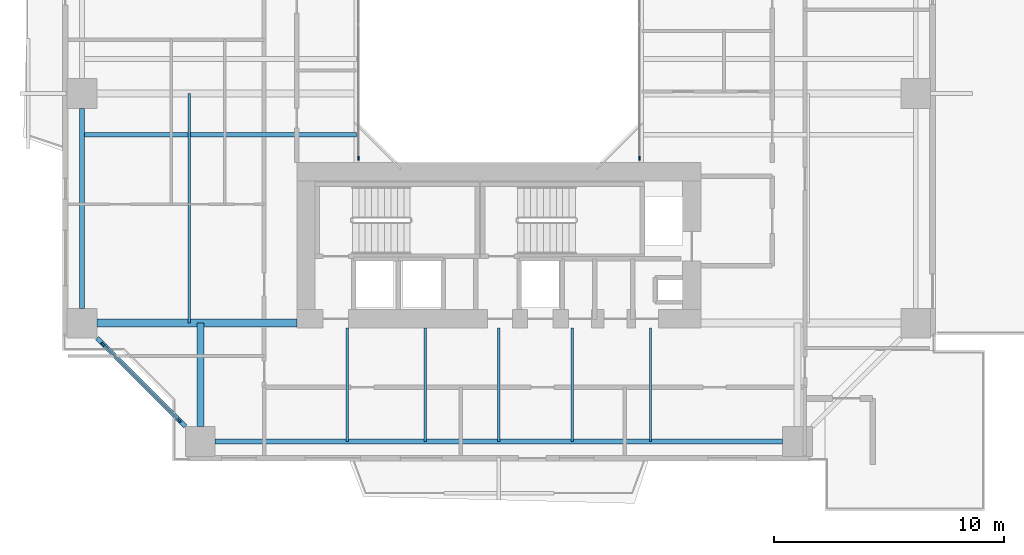
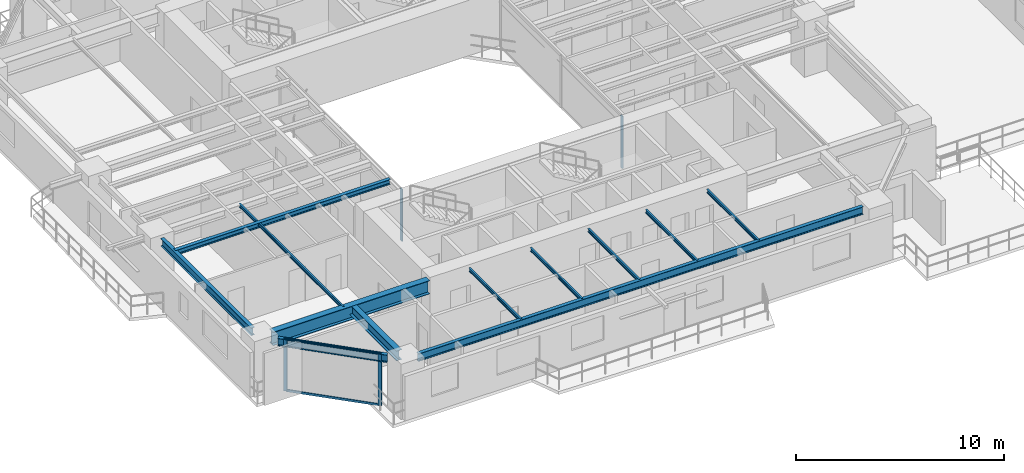
# One storey, part 2 of 22: 12 beams, 6 members, 3 elements without a shape of their own.
"""IFC4 building model written with IfcOpenShell, lengths in metres."""

import ifcopenshell
import ifcopenshell.guid

model = None  # the IFC model being written
_history = None  # IfcOwnerHistory: only IFC2X3 demands one
_inside = {}  # id of a spatial element -> (the spatial element, [elements in it])
_under = {}  # id of a project, library or spatial element -> (it, [spatial elements below it])
_declared = {}  # id of a project -> (the project, [libraries it declares])
_typed = {}  # id of a type object -> (the type object, [elements of that type])
_made_of = {}  # id of a material, layer set ... -> (it, [elements and type objects made of it])


def new_model(schema):
    """Start an empty IFC model of exactly this schema.

    Asked for "IFC4X3", IfcOpenShell would pick the latest addendum, in which some entities
    have other attributes; the version numbers below select the first issue.
    IFC2X3 requires an IfcOwnerHistory on every rooted entity: one is made here for all.
    """
    global model, _history
    if schema == "IFC4X3":
        model = ifcopenshell.file(schema_version=(4, 3, 0, 0))
    else:
        model = ifcopenshell.file(schema=schema)
    _inside.clear()
    _under.clear()
    _declared.clear()
    _typed.clear()
    _made_of.clear()
    _history = None
    if model.schema == "IFC2X3":
        org = make("IfcOrganization", Name="unknown")
        user = make(
            "IfcPersonAndOrganization",
            ThePerson=make("IfcPerson", FamilyName="unknown"),
            TheOrganization=org,
        )
        app = make(
            "IfcApplication",
            ApplicationDeveloper=org,
            Version="unknown",
            ApplicationFullName="unknown",
            ApplicationIdentifier="unknown",
        )
        _history = make(
            "IfcOwnerHistory",
            OwningUser=user,
            OwningApplication=app,
            ChangeAction="ADDED",
            CreationDate=0,
        )
    return model


def make(cls, **values):
    """One entity of the class cls with the attributes given. An attribute that is None is left unset."""
    return model.create_entity(
        cls, **{name: value for name, value in values.items() if value is not None}
    )


def rooted(cls, **values):
    """An entity with a GlobalId (a new one), such as an element, a storey or a relation."""
    return make(cls, GlobalId=ifcopenshell.guid.new(), OwnerHistory=_history, **values)


def si_unit(unit_type, name, prefix=None):
    """IfcSIUnit, for example si_unit("LENGTHUNIT", "METRE", prefix="MILLI")."""
    return make("IfcSIUnit", UnitType=unit_type, Prefix=prefix, Name=name)


def assignment(units):
    """IfcUnitAssignment: the units of a project."""
    return None if units is None else make("IfcUnitAssignment", Units=units)


def point(xyz):
    """IfcCartesianPoint."""
    return None if xyz is None else make("IfcCartesianPoint", Coordinates=xyz)


def direction(xyz):
    """IfcDirection."""
    return None if xyz is None else make("IfcDirection", DirectionRatios=xyz)


def frame(location, z_axis=None, x_axis=None):
    """IfcAxis2Placement3D, a coordinate frame: its origin and axes. An axis left out is left unset."""
    return make(
        "IfcAxis2Placement3D",
        Location=point(location),
        Axis=direction(z_axis),
        RefDirection=direction(x_axis),
    )


def frame_2d(location, x_axis=None):
    """IfcAxis2Placement2D, a coordinate frame in the plane: its origin and x axis."""
    return make(
        "IfcAxis2Placement2D", Location=point(location), RefDirection=direction(x_axis)
    )


def origin():
    """The frame at (0, 0, 0) with its axes left unset."""
    return frame((0.0, 0.0, 0.0))


def origin_2d():
    """The frame at (0, 0) in the plane with its x axis left unset."""
    return frame_2d((0.0, 0.0))


def place(relative_to, where):
    """IfcLocalPlacement: puts the frame where relative to a parent placement (None: the world)."""
    return make(
        "IfcLocalPlacement", PlacementRelTo=relative_to, RelativePlacement=where
    )


def context(
    kind, dimensions, precision=None, world=None, true_north=None, identifier=None
):
    """IfcGeometricRepresentationContext, for example the 3D "Model" context."""
    return make(
        "IfcGeometricRepresentationContext",
        ContextIdentifier=identifier,
        ContextType=kind,
        CoordinateSpaceDimension=dimensions,
        Precision=precision,
        WorldCoordinateSystem=world,
        TrueNorth=true_north,
    )


def subcontext(parent, identifier, kind, view, scale=None):
    """IfcGeometricRepresentationSubContext, for example "Body" below "Model"."""
    return make(
        "IfcGeometricRepresentationSubContext",
        ContextIdentifier=identifier,
        ContextType=kind,
        ParentContext=parent,
        TargetScale=scale,
        TargetView=view,
    )


def project(units=None, contexts=None):
    """IfcProject with its units and contexts."""
    return rooted(
        "IfcProject",
        Name="project",
        RepresentationContexts=contexts,
        UnitsInContext=assignment(units),
    )


def spatial(cls, under=None, at=None, **own):
    """A site, building, storey or space (cls), placed at a placement, below another one or the project."""
    s = rooted(cls, ObjectPlacement=at, **own)
    if under is not None:
        _under.setdefault(under.id(), (under, []))[1].append(s)
    return s


def profile(cls, at=None, kind="AREA", **sizes):
    """A parametric profile (cls). Its sizes go by their IFC names, for example OverallWidth=200.0."""
    return make(cls, ProfileType=kind, Position=at, **sizes)


def rectangle(**sizes):
    """IfcRectangleProfileDef."""
    return profile("IfcRectangleProfileDef", **sizes)


def i_section(**sizes):
    """IfcIShapeProfileDef."""
    return profile("IfcIShapeProfileDef", **sizes)


def extrude(swept, where, along, depth):
    """IfcExtrudedAreaSolid: the profile swept, set in the frame where, extruded along a direction by depth."""
    return make(
        "IfcExtrudedAreaSolid",
        SweptArea=swept,
        Position=where,
        ExtrudedDirection=direction(along),
        Depth=depth,
    )


def shape(context_of_items, identifier, shape_type, items):
    """IfcShapeRepresentation: the items that make up one representation, for example the "Body"."""
    return make(
        "IfcShapeRepresentation",
        ContextOfItems=context_of_items,
        RepresentationIdentifier=identifier,
        RepresentationType=shape_type,
        Items=items,
    )


def source(mapping_origin, context_of_items, identifier, shape_type, items):
    """IfcRepresentationMap: a shape defined once, which mapped items show again and again."""
    return make(
        "IfcRepresentationMap",
        MappingOrigin=mapping_origin,
        MappedRepresentation=shape(context_of_items, identifier, shape_type, items),
    )


def transform(
    local_origin,
    x_axis=None,
    y_axis=None,
    z_axis=None,
    scale=None,
    scale2=None,
    scale3=None,
    uniform=True,
):
    """IfcCartesianTransformationOperator3D, or its non-uniform kind. x_axis, y_axis, z_axis: its Axis1, 2, 3."""
    if uniform:
        return make(
            "IfcCartesianTransformationOperator3D",
            Axis1=direction(x_axis),
            Axis2=direction(y_axis),
            LocalOrigin=point(local_origin),
            Scale=scale,
            Axis3=direction(z_axis),
        )
    return make(
        "IfcCartesianTransformationOperator3DnonUniform",
        Axis1=direction(x_axis),
        Axis2=direction(y_axis),
        LocalOrigin=point(local_origin),
        Scale=scale,
        Axis3=direction(z_axis),
        Scale2=scale2,
        Scale3=scale3,
    )


def mapped(mapping_source, mapping_target):
    """IfcMappedItem: shows the shape of a source again, moved by a transform."""
    return make(
        "IfcMappedItem", MappingSource=mapping_source, MappingTarget=mapping_target
    )


def material(Name=None, Category=None):
    """IfcMaterial."""
    return make("IfcMaterial", Name=Name, Category=Category)


def layer(
    of_material, thickness, ventilated=None, Name=None, Category=None, Priority=None
):
    """IfcMaterialLayer: one layer of a wall or slab, of a material (None: an air gap)."""
    return make(
        "IfcMaterialLayer",
        Material=of_material,
        LayerThickness=thickness,
        IsVentilated=ventilated,
        Name=Name,
        Category=Category,
        Priority=Priority,
    )


def layer_set(layers, Name=None):
    """IfcMaterialLayerSet."""
    return make("IfcMaterialLayerSet", MaterialLayers=layers, LayerSetName=Name)


def material_profile(
    of_material, cross_section, Name=None, Category=None, Priority=None
):
    """IfcMaterialProfile: a cross section and its material."""
    return make(
        "IfcMaterialProfile",
        Name=Name,
        Material=of_material,
        Profile=cross_section,
        Priority=Priority,
        Category=Category,
    )


def profile_set(profiles, Name=None, composite=None):
    """IfcMaterialProfileSet."""
    return make(
        "IfcMaterialProfileSet",
        Name=Name,
        MaterialProfiles=profiles,
        CompositeProfile=composite,
    )


def made_of(thing, what):
    """Note that an element or type object is made of a material, layer set ...; save() writes the relation."""
    if what is not None:
        _made_of.setdefault(what.id(), (what, []))[1].append(thing)
    return thing


def type_object(cls, material=None, **own):
    """A type object (cls), such as IfcWallType, which elements share."""
    return made_of(rooted(cls, **own), material)


def element(
    cls,
    number,
    at=None,
    inside=None,
    cuts=None,
    type_object=None,
    material=None,
    context=None,
    identifier="Body",
    shape_type=None,
    held_by="IfcProductDefinitionShape",
    body=None,
    shapes=None,
    **own,
):
    """One element of the class cls, such as IfcWall. Its Tag is "e" and its number.

    at: its placement. inside: the storey or other place that contains it. cuts: it is an
    opening in that element (IfcRelVoidsElement). A single representation is given by context,
    identifier, shape_type and body (its items); several are given by shapes. held_by: the class
    of the entity that holds the representations. save() writes the other relations.
    """
    e = rooted(cls, Tag="e%d" % number, ObjectPlacement=at, **own)
    if body is not None:
        shapes = [shape(context, identifier, shape_type, body)]
    if shapes is not None:
        e.Representation = make(held_by, Representations=shapes)
    if inside is not None:
        _inside.setdefault(inside.id(), (inside, []))[1].append(e)
    if cuts is not None:
        rooted(
            "IfcRelVoidsElement", RelatingBuildingElement=cuts, RelatedOpeningElement=e
        )
    if type_object is not None:
        _typed.setdefault(type_object.id(), (type_object, []))[1].append(e)
    return made_of(e, material)


def aggregate(whole, parts):
    """IfcRelAggregates: a whole, such as a stair, and the parts it consists of."""
    return rooted("IfcRelAggregates", RelatingObject=whole, RelatedObjects=parts)


def save(model, path):
    """Write the relations noted so far, then the file.

    IfcRelAggregates (storeys below a building ...), IfcRelContainedInSpatialStructure (elements
    in a storey), IfcRelDefinesByType, IfcRelAssociatesMaterial and IfcRelDeclares: one each for
    every whole, place, type object, material and project.
    """
    for whole, parts in _under.values():
        aggregate(whole, parts)
    for where, things in _inside.values():
        rooted(
            "IfcRelContainedInSpatialStructure",
            RelatedElements=things,
            RelatingStructure=where,
        )
    for kind, things in _typed.values():
        rooted("IfcRelDefinesByType", RelatedObjects=things, RelatingType=kind)
    for what, things in _made_of.values():
        rooted("IfcRelAssociatesMaterial", RelatedObjects=things, RelatingMaterial=what)
    for by, libraries in _declared.values():
        rooted("IfcRelDeclares", RelatingContext=by, RelatedDefinitions=libraries)
    model.write(path)


model = new_model("IFC4")

# Units and contexts
model_context = context("Model", 3, precision=1e-05, world=origin(), true_north=direction((0.0, 1.0)))
body_context = subcontext(model_context, "Body", "Model", "MODEL_VIEW")
ifc_project = project(units=[si_unit("LENGTHUNIT", "METRE"), si_unit("AREAUNIT", "SQUARE_METRE"), si_unit("VOLUMEUNIT", "CUBIC_METRE"), si_unit("PLANEANGLEUNIT", "RADIAN"), si_unit("MASSUNIT", "GRAM", prefix="KILO"), si_unit("THERMODYNAMICTEMPERATUREUNIT", "KELVIN"), si_unit("POWERUNIT", "WATT")], contexts=[model_context])

# Site, building, storey
site_placement = place(None, origin())
site = spatial("IfcSite", under=ifc_project, at=site_placement, CompositionType="ELEMENT")
building_placement = place(site_placement, origin())
building = spatial("IfcBuilding", under=site, at=building_placement, Name="Qiaomeng Ring Towers", CompositionType="ELEMENT")
storey_placement = place(building_placement, frame((0.0, 0.0, 23.0)))
storey = spatial("IfcBuildingStorey", under=building, at=storey_placement, Name="L05", CompositionType="ELEMENT", Elevation=23.0)

# Beams
ifc_material_1 = material(Name="Steel Q355B", Category="steel")
ifc_material_profile_1 = material_profile(ifc_material_1, i_section(OverallWidth=0.199951171875, OverallDepth=0.449951171875, WebThickness=0.009033203125, FlangeThickness=0.013916015625, FilletRadius=0.01806640625, at=origin_2d()), Name="HN 450x200x9x14")
ifc_profile_set_1 = profile_set([ifc_material_profile_1], Name="Steel Q355B")
beam_type_1 = type_object("IfcBeamType", Name="STR-BM-HN450", PredefinedType="SPANDREL", material=ifc_profile_set_1)
shared_shape_1 = source(origin(), body_context, "Body", "SweptSolid", [
    extrude(i_section(OverallWidth=0.199951171875, OverallDepth=0.449951171875, WebThickness=0.009033203125, FlangeThickness=0.013916015625, FilletRadius=0.01806640625, at=origin_2d()), origin(), (0.0, 0.0, 1.0), 24.7021484375),
])
beam_1_placement = place(storey_placement, frame((6.64892578125, 4.85009765625, 2.844970703125), z_axis=(1.0, 0.0, 0.0), x_axis=(0.0, 1.0, 0.0)))
element("IfcBeam", 1, at=beam_1_placement, inside=storey, type_object=beam_type_1, Name="L05 beam STR-SP-L05-T1-S1-S2", PredefinedType="SPANDREL", context=body_context, shape_type="MappedRepresentation", body=[
    mapped(shared_shape_1, transform((0.0, 0.0, 0.0), x_axis=(1.0, 0.0, 0.0), y_axis=(0.0, 1.0, 0.0), z_axis=(0.0, 0.0, 1.0), scale=1.0)),
])
shared_shape_2 = source(origin(), body_context, "Body", "SweptSolid", [
    extrude(i_section(OverallWidth=0.199951171875, OverallDepth=0.449951171875, WebThickness=0.009033203125, FlangeThickness=0.013916015625, FilletRadius=0.01806640625, at=origin_2d()), origin(), (0.0, 0.0, 1.0), 5.446533203125),
])
beam_2_placement = place(storey_placement, frame((1.499267578125, 9.3505859375, 2.844970703125), z_axis=(0.707106781187, -0.707106781187, 0.0), x_axis=(0.707106781187, 0.707106781187, 0.0)))
element("IfcBeam", 2, at=beam_2_placement, inside=storey, type_object=beam_type_1, Name="L05 beam STR-SP-L05-T1-W1-S1", PredefinedType="SPANDREL", context=body_context, shape_type="MappedRepresentation", body=[
    mapped(shared_shape_2, transform((0.0, 0.0, 0.0), x_axis=(1.0, 0.0, 0.0), y_axis=(0.0, 1.0, 0.0), z_axis=(0.0, 0.0, 1.0), scale=1.0)),
])
shared_shape_3 = source(origin(), body_context, "Body", "SweptSolid", [
    extrude(i_section(OverallWidth=0.199951171875, OverallDepth=0.449951171875, WebThickness=0.009033203125, FlangeThickness=0.013916015625, FilletRadius=0.01806640625, at=origin_2d()), origin(), (0.0, 0.0, 1.0), 8.7021484375),
])
beam_3_placement = place(storey_placement, frame((0.85009765625, 19.35107421875, 2.844970703125), z_axis=(0.0, -1.0, 0.0), x_axis=(1.0, 0.0, 0.0)))
element("IfcBeam", 3, at=beam_3_placement, inside=storey, type_object=beam_type_1, Name="L05 beam STR-SP-L05-T1-W2-W1", PredefinedType="SPANDREL", context=body_context, shape_type="MappedRepresentation", body=[
    mapped(shared_shape_3, transform((0.0, 0.0, 0.0), x_axis=(1.0, 0.0, 0.0), y_axis=(0.0, 1.0, 0.0), z_axis=(0.0, 0.0, 1.0), scale=1.0)),
])
ifc_material_2 = material(Name="Steel Q390GJC", Category="steel")
ifc_material_profile_2 = material_profile(ifc_material_2, i_section(OverallWidth=0.35009765625, OverallDepth=0.800048828125, WebThickness=0.01611328125, FlangeThickness=0.028076171875, at=origin_2d()), Name="WH 800x350x16x28")
ifc_profile_set_2 = profile_set([ifc_material_profile_2], Name="Steel Q390GJC")
beam_type_2 = type_object("IfcBeamType", Name="STR-BM-WH800", PredefinedType="BEAM", material=ifc_profile_set_2)
shared_shape_4 = source(origin(), body_context, "Body", "SweptSolid", [
    extrude(i_section(OverallWidth=0.35009765625, OverallDepth=0.800048828125, WebThickness=0.01611328125, FlangeThickness=0.028076171875, at=origin_2d()), origin(), (0.0, 0.0, 1.0), 8.700927734375),
])
beam_4_placement = place(storey_placement, frame((1.4990234375, 10.0, 2.669921875), z_axis=(1.0, 0.0, 0.0), x_axis=(0.0, 1.0, 0.0)))
element("IfcBeam", 4, at=beam_4_placement, inside=storey, type_object=beam_type_2, Name="L05 beam STR-BM-L05-T1-RAD-W1", PredefinedType="BEAM", context=body_context, shape_type="MappedRepresentation", body=[
    mapped(shared_shape_4, transform((0.0, 0.0, 0.0), x_axis=(1.0, 0.0, 0.0), y_axis=(0.0, 1.0, 0.0), z_axis=(0.0, 0.0, 1.0), scale=1.0)),
])
ifc_material_profile_3 = material_profile(ifc_material_1, i_section(OverallWidth=0.300048828125, OverallDepth=0.587890625, WebThickness=0.011962890625, FlangeThickness=0.02001953125, FilletRadius=0.028076171875, at=origin_2d()), Name="HM 588x300x12x20")
ifc_profile_set_3 = profile_set([ifc_material_profile_3], Name="Steel Q355B")
beam_type_3 = type_object("IfcBeamType", Name="STR-BM-HM588", PredefinedType="BEAM", material=ifc_profile_set_3)
shared_shape_5 = source(origin(), body_context, "Body", "SweptSolid", [
    extrude(i_section(OverallWidth=0.300048828125, OverallDepth=0.587890625, WebThickness=0.011962890625, FlangeThickness=0.02001953125, FilletRadius=0.028076171875, at=origin_2d()), origin(), (0.0, 0.0, 1.0), 4.5009765625),
])
beam_5_placement = place(storey_placement, frame((6.0, 5.4990234375, 2.77587890625), z_axis=(0.0, 1.0, 0.0), x_axis=(-1.0, 0.0, 0.0)))
element("IfcBeam", 5, at=beam_5_placement, inside=storey, type_object=beam_type_3, Name="L05 beam STR-BM-L05-T1-RAD-S1", PredefinedType="BEAM", context=body_context, shape_type="MappedRepresentation", body=[
    mapped(shared_shape_5, transform((0.0, 0.0, 0.0), x_axis=(1.0, 0.0, 0.0), y_axis=(0.0, 1.0, 0.0), z_axis=(0.0, 0.0, 1.0), scale=1.0)),
])
ifc_material_profile_4 = material_profile(ifc_material_1, i_section(OverallWidth=0.10009765625, OverallDepth=0.199951171875, WebThickness=0.005615234375, FlangeThickness=0.008056640625, FilletRadius=0.010986328125, at=origin_2d()), Name="HN 200x100x5.5x8")
ifc_profile_set_4 = profile_set([ifc_material_profile_4], Name="Steel Q355B")
beam_type_4 = type_object("IfcBeamType", Name="STR-BM-HN200", PredefinedType="JOIST", material=ifc_profile_set_4)
shared_shape_6 = source(origin(), body_context, "Body", "SweptSolid", [
    extrude(i_section(OverallWidth=0.10009765625, OverallDepth=0.199951171875, WebThickness=0.005615234375, FlangeThickness=0.008056640625, FilletRadius=0.010986328125, at=origin_2d()), origin(), (0.0, 0.0, 1.0), 4.949951171875),
])
for number, where, z_axis, x_axis, name in (
    (6, (12.39990234375, 4.85009765625, 2.969970703125), (0.0, 1.0, 0.0), (-1.0, 0.0, 0.0), "L05 beam STR-JST-L05-T1S-1"),
    (7, (15.800048828125, 4.85009765625, 2.969970703125), (0.0, 1.0, 0.0), (-1.0, 0.0, 0.0), "L05 beam STR-JST-L05-T1S-2"),
    (8, (19.0, 4.85009765625, 2.969970703125), (0.0, 1.0, 0.0), (-1.0, 0.0, 0.0), "L05 beam STR-JST-L05-T1S-3"),
    (9, (22.199951171875, 4.85009765625, 2.969970703125), (0.0, 1.0, 0.0), (-1.0, 0.0, 0.0), "L05 beam STR-JST-L05-T1S-4"),
    (10, (25.60009765625, 4.85009765625, 2.969970703125), (0.0, 1.0, 0.0), (-1.0, 0.0, 0.0), "L05 beam STR-JST-L05-T1S-5"),
):
    element("IfcBeam", number, at=place(storey_placement, frame(where, z_axis=z_axis, x_axis=x_axis)), inside=storey, type_object=beam_type_4, Name=name, PredefinedType="JOIST", context=body_context, shape_type="MappedRepresentation", body=[
        mapped(shared_shape_6, transform((0.0, 0.0, 0.0), x_axis=(1.0, 0.0, 0.0), y_axis=(0.0, 1.0, 0.0), z_axis=(0.0, 0.0, 1.0), scale=1.0)),
    ])
ifc_material_profile_5 = material_profile(ifc_material_1, i_section(OverallWidth=0.199951171875, OverallDepth=0.2939453125, WebThickness=0.008056640625, FlangeThickness=0.011962890625, FilletRadius=0.01806640625, at=origin_2d()), Name="HM 294x200x8x12")
ifc_profile_set_5 = profile_set([ifc_material_profile_5], Name="Steel Q355B")
beam_type_5 = type_object("IfcBeamType", Name="STR-BM-HM294", PredefinedType="JOIST", material=ifc_profile_set_5)
shared_shape_7 = source(origin(), body_context, "Body", "SweptSolid", [
    extrude(i_section(OverallWidth=0.199951171875, OverallDepth=0.2939453125, WebThickness=0.008056640625, FlangeThickness=0.011962890625, FilletRadius=0.01806640625, at=origin_2d()), origin(), (0.0, 0.0, 1.0), 11.949951171875),
])
beam_6_placement = place(storey_placement, frame((0.85009765625, 18.199951171875, 2.923095703125), z_axis=(1.0, 0.0, 0.0), x_axis=(0.0, 1.0, 0.0)))
element("IfcBeam", 11, at=beam_6_placement, inside=storey, type_object=beam_type_5, Name="L05 beam STR-JST-L05-T1W-1", PredefinedType="JOIST", context=body_context, shape_type="MappedRepresentation", body=[
    mapped(shared_shape_7, transform((0.0, 0.0, 0.0), x_axis=(1.0, 0.0, 0.0), y_axis=(0.0, 1.0, 0.0), z_axis=(0.0, 0.0, 1.0), scale=1.0)),
])
shared_shape_8 = source(origin(), body_context, "Body", "SweptSolid", [
    extrude(i_section(OverallWidth=0.10009765625, OverallDepth=0.199951171875, WebThickness=0.005615234375, FlangeThickness=0.008056640625, FilletRadius=0.010986328125, at=origin_2d()), origin(), (0.0, 0.0, 1.0), 10.0),
])
beam_7_placement = place(storey_placement, frame((5.52490234375, 10.0, 2.969970703125), z_axis=(0.0, 1.0, 0.0), x_axis=(-1.0, 0.0, 0.0)))
element("IfcBeam", 12, at=beam_7_placement, inside=storey, type_object=beam_type_4, Name="L05 beam STR-JST-L05-T1C-WS", PredefinedType="JOIST", context=body_context, shape_type="MappedRepresentation", body=[
    mapped(shared_shape_8, transform((0.0, 0.0, 0.0), x_axis=(1.0, 0.0, 0.0), y_axis=(0.0, 1.0, 0.0), z_axis=(0.0, 0.0, 1.0), scale=1.0)),
])

# Curtain wall, member
ifc_material_3 = material(Name="Fluorocarbon dark-grey aluminium", Category="aluminium")
ifc_layer_1 = layer(ifc_material_3, 0.139892578125, Name="Fluorocarbon dark-grey aluminium")
ifc_layer_set_1 = layer_set([ifc_layer_1], Name="Fluorocarbon dark-grey aluminium")
curtain_wall_type_1 = type_object("IfcCurtainWallType", Name="ARC-CW-4", PredefinedType="NOTDEFINED", material=ifc_layer_set_1)
curtain_wall_1_placement = place(storey_placement, origin())
curtain_wall_1 = element("IfcCurtainWall", 13, at=curtain_wall_1_placement, inside=storey, type_object=curtain_wall_type_1, Name="L05 Curtain Wall CW4", PredefinedType="NOTDEFINED")
ifc_material_profile_6 = material_profile(ifc_material_3, rectangle(XDim=0.06494140625, YDim=0.159912109375, at=origin_2d()), Name="ALU MULL 65x160")
ifc_profile_set_6 = profile_set([ifc_material_profile_6], Name="Fluorocarbon dark-grey aluminium")
member_type_1 = type_object("IfcMemberType", Name="ARC-CWM-140", PredefinedType="MULLION", material=ifc_profile_set_6)
shared_shape_9 = source(origin(), body_context, "Body", "SweptSolid", [
    extrude(rectangle(XDim=0.06494140625, YDim=0.159912109375, at=origin_2d()), origin(), (0.0, 0.0, 1.0), 3.070068359375),
])
member_1_placement = place(storey_placement, frame((12.8798828125, 17.1826171875, 0.0), z_axis=(0.0, 0.0, 1.0), x_axis=(-1.0, 0.0, 0.0)))
member_1 = element("IfcMember", 14, at=member_1_placement, type_object=member_type_1, Name="CW4 mullion 1", PredefinedType="MULLION", context=body_context, shape_type="MappedRepresentation", body=[
    mapped(shared_shape_9, transform((0.0, 0.0, 0.0), x_axis=(1.0, 0.0, 0.0), y_axis=(0.0, 1.0, 0.0), z_axis=(0.0, 0.0, 1.0), scale=1.0)),
])
aggregate(curtain_wall_1, [member_1])

curtain_wall_2_placement = place(storey_placement, origin())
curtain_wall_2 = element("IfcCurtainWall", 15, at=curtain_wall_2_placement, inside=storey, type_object=curtain_wall_type_1, Name="L05 Curtain Wall CW4", PredefinedType="NOTDEFINED")
member_2_placement = place(storey_placement, frame((25.1201171875, 17.1826171875, 0.0), z_axis=(0.0, 0.0, 1.0), x_axis=(-1.0, 0.0, 0.0)))
member_2 = element("IfcMember", 16, at=member_2_placement, type_object=member_type_1, Name="CW4 mullion 1", PredefinedType="MULLION", context=body_context, shape_type="MappedRepresentation", body=[
    mapped(shared_shape_9, transform((0.0, 0.0, 0.0), x_axis=(1.0, 0.0, 0.0), y_axis=(0.0, 1.0, 0.0), z_axis=(0.0, 0.0, 1.0), scale=1.0)),
])
aggregate(curtain_wall_2, [member_2])

# Curtain wall, members
ifc_layer_2 = layer(ifc_material_3, 0.159912109375, Name="Fluorocarbon dark-grey aluminium")
ifc_layer_set_2 = layer_set([ifc_layer_2], Name="Fluorocarbon dark-grey aluminium")
curtain_wall_type_2 = type_object("IfcCurtainWallType", Name="ARC-CW-2", PredefinedType="NOTDEFINED", material=ifc_layer_set_2)
curtain_wall_3_placement = place(storey_placement, origin())
curtain_wall_3 = element("IfcCurtainWall", 17, at=curtain_wall_3_placement, inside=storey, type_object=curtain_wall_type_2, Name="L05 Curtain Wall CW2", PredefinedType="NOTDEFINED")
ifc_material_profile_7 = material_profile(ifc_material_3, rectangle(XDim=0.070068359375, YDim=0.179931640625, at=origin_2d()), Name="ALU MULL 70x180")
ifc_profile_set_7 = profile_set([ifc_material_profile_7], Name="Fluorocarbon dark-grey aluminium")
member_type_2 = type_object("IfcMemberType", Name="ARC-CWM-160", PredefinedType="MULLION", material=ifc_profile_set_7)
shared_shape_10 = source(origin(), body_context, "Body", "SweptSolid", [
    extrude(rectangle(XDim=0.070068359375, YDim=0.179931640625, at=origin_2d()), origin(), (0.0, 0.0, 1.0), 3.070068359375),
])
member_3_placement = place(storey_placement, frame((1.7646484375, 9.085205078125, 0.0), z_axis=(0.0, 0.0, 1.0), x_axis=(0.707106781187, 0.707106781187, 0.0)))
member_3 = element("IfcMember", 18, at=member_3_placement, type_object=member_type_2, Name="CW2 mullion 1", PredefinedType="MULLION", context=body_context, shape_type="MappedRepresentation", body=[
    mapped(shared_shape_10, transform((0.0, 0.0, 0.0), x_axis=(1.0, 0.0, 0.0), y_axis=(0.0, 1.0, 0.0), z_axis=(0.0, 0.0, 1.0), scale=1.0)),
])
member_4_placement = place(storey_placement, frame((5.085205078125, 5.7646484375, 0.0), z_axis=(0.0, 0.0, 1.0), x_axis=(0.707106781187, 0.707106781187, 0.0)))
member_4 = element("IfcMember", 19, at=member_4_placement, type_object=member_type_2, Name="CW2 mullion 2", PredefinedType="MULLION", context=body_context, shape_type="MappedRepresentation", body=[
    mapped(shared_shape_10, transform((0.0, 0.0, 0.0), x_axis=(1.0, 0.0, 0.0), y_axis=(0.0, 1.0, 0.0), z_axis=(0.0, 0.0, 1.0), scale=1.0)),
])
ifc_material_profile_8 = material_profile(ifc_material_3, rectangle(XDim=0.06494140625, YDim=0.1298828125, at=origin_2d()), Name="ALU TRAN 65x130")
ifc_profile_set_8 = profile_set([ifc_material_profile_8], Name="Fluorocarbon dark-grey aluminium")
member_type_3 = type_object("IfcMemberType", Name="ARC-CWT-120", PredefinedType="USERDEFINED", material=ifc_profile_set_8)
shared_shape_11 = source(origin(), body_context, "Body", "SweptSolid", [
    extrude(rectangle(XDim=0.06494140625, YDim=0.1298828125, at=origin_2d()), origin(), (0.0, 0.0, 1.0), 4.6259765625),
])
member_5_placement = place(storey_placement, frame((1.78955078125, 9.060546875, 0.032470703125), z_axis=(0.707106781187, -0.707106781187, 0.0), x_axis=(0.707106781187, 0.707106781187, 0.0)))
member_5 = element("IfcMember", 20, at=member_5_placement, type_object=member_type_3, Name="CW2 transom 1.1", ObjectType="TRANSOM", PredefinedType="USERDEFINED", context=body_context, shape_type="MappedRepresentation", body=[
    mapped(shared_shape_11, transform((0.0, 0.0, 0.0), x_axis=(1.0, 0.0, 0.0), y_axis=(0.0, 1.0, 0.0), z_axis=(0.0, 0.0, 1.0), scale=1.0)),
])
member_6_placement = place(storey_placement, frame((1.78955078125, 9.060546875, 3.03759765625), z_axis=(0.707106781187, -0.707106781187, 0.0), x_axis=(0.707106781187, 0.707106781187, 0.0)))
member_6 = element("IfcMember", 21, at=member_6_placement, type_object=member_type_3, Name="CW2 transom 1.2", ObjectType="TRANSOM", PredefinedType="USERDEFINED", context=body_context, shape_type="MappedRepresentation", body=[
    mapped(shared_shape_11, transform((0.0, 0.0, 0.0), x_axis=(1.0, 0.0, 0.0), y_axis=(0.0, 1.0, 0.0), z_axis=(0.0, 0.0, 1.0), scale=1.0)),
])
aggregate(curtain_wall_3, [member_3, member_4, member_5, member_6])

save(model, "model.ifc")
